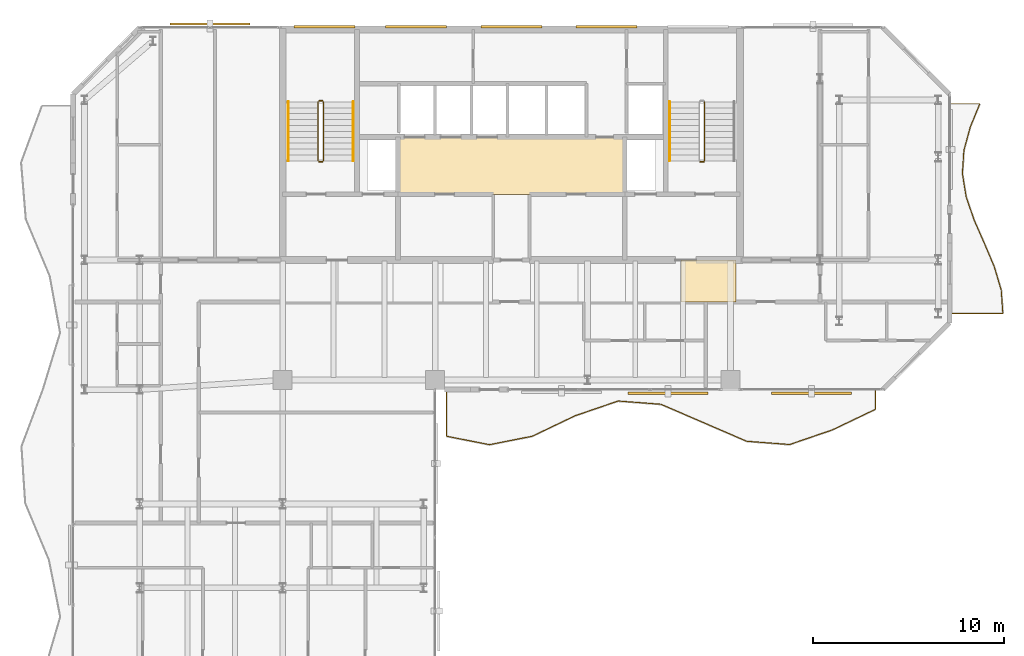
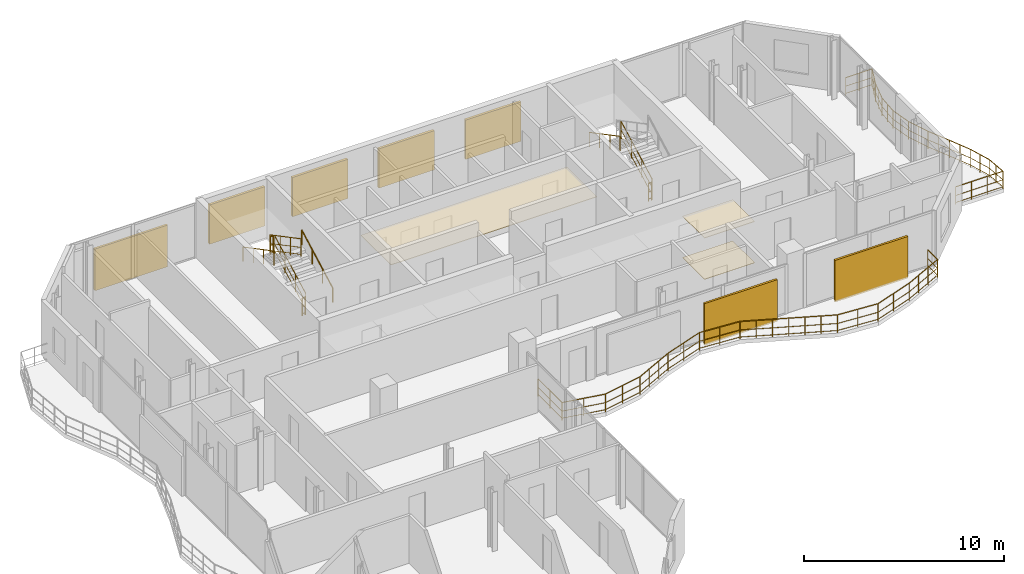
# One storey, part 22 of 23: 11 railings, 7 shading devices, 3 coverings.
"""IFC4 building model written with IfcOpenShell, lengths in metres."""

from ifc_helpers import new_model, si_unit, direction, frame, origin, origin_2d, place, context, subcontext, project, spatial, polyline, rectangle, circle, outline, extrude, material, layer, layer_set, type_object, element, save


model = new_model("IFC4")

# Units and contexts
model_context = context("Model", 3, precision=1e-05, world=origin(), true_north=direction((0.0, 1.0)))
body_context = subcontext(model_context, "Body", "Model", "MODEL_VIEW")
ifc_project = project(units=[si_unit("LENGTHUNIT", "METRE"), si_unit("AREAUNIT", "SQUARE_METRE"), si_unit("VOLUMEUNIT", "CUBIC_METRE"), si_unit("PLANEANGLEUNIT", "RADIAN"), si_unit("MASSUNIT", "GRAM", prefix="KILO")], contexts=[model_context])

# Site, building, storey
site_placement = place(None, origin())
site = spatial("IfcSite", under=ifc_project, at=site_placement, CompositionType="ELEMENT")
building_placement = place(site_placement, origin())
building = spatial("IfcBuilding", under=site, at=building_placement, Name="Catumbela Crestline Tower", CompositionType="ELEMENT")
storey_placement = place(building_placement, frame((0.0, 0.0, 193.8)))
storey = spatial("IfcBuildingStorey", under=building, at=storey_placement, Name="L50", CompositionType="ELEMENT", Elevation=193.8)

# Coverings
ifc_material_1 = material(Name="Mineral-fibre acoustic ceiling")
ifc_layer_1 = layer(ifc_material_1, 0.03, Name="Mineral-fibre acoustic ceiling")
ifc_layer_set_1 = layer_set([ifc_layer_1], Name="Mineral-fibre acoustic ceiling")
covering_type_1 = type_object("IfcCoveringType", Name="CC-AC", PredefinedType="CEILING", material=ifc_layer_set_1)
covering_1_placement = place(storey_placement, frame((0.0, 0.0, 2.65)))
element("IfcCovering", 1, at=covering_1_placement, inside=storey, type_object=covering_type_1, Name="L50 Lift Lobby Acoustic Ceiling", PredefinedType="CEILING", context=body_context, shape_type="SweptSolid", body=[
    extrude(outline(polyline([(22.05, 34.25), (33.95, 34.25), (33.95, 37.25), (22.05, 37.25), (22.05, 34.25)])), origin(), (0.0, 0.0, 1.0), 0.03),
])
covering_2_placement = place(storey_placement, frame((0.0, 0.0, 2.52)))
element("IfcCovering", 2, at=covering_2_placement, inside=storey, type_object=covering_type_1, Name="L50 Corridor Acoustic Ceiling Bay 8", PredefinedType="CEILING", context=body_context, shape_type="SweptSolid", body=[
    extrude(outline(polyline([(36.9, 28.6), (39.8, 28.6), (39.8, 30.8), (36.9, 30.8), (36.9, 28.6)])), origin(), (0.0, 0.0, 1.0), 0.03),
])
ifc_material_2 = material(Name="Angolan grey-ochre granite", Category="masonry")
ifc_layer_2 = layer(ifc_material_2, 0.025, Name="Angolan grey-ochre granite")
ifc_layer_set_2 = layer_set([ifc_layer_2], Name="Angolan grey-ochre granite")
covering_type_2 = type_object("IfcCoveringType", Name="CF-GR", PredefinedType="FLOORING", material=ifc_layer_set_2)
covering_3_placement = place(storey_placement, origin())
element("IfcCovering", 3, at=covering_3_placement, inside=storey, type_object=covering_type_2, Name="L50 Corridor Granite Flooring Bay 8", PredefinedType="FLOORING", context=body_context, shape_type="SweptSolid", body=[
    extrude(outline(polyline([(36.9, 28.6), (39.8, 28.6), (39.8, 30.8), (36.9, 30.8), (36.9, 28.6)])), origin(), (0.0, 0.0, 1.0), 0.025),
])

# Railings
ifc_material_3 = material(Name="Stainless steel EN 1.4401", Category="steel")
railing_type_1 = type_object("IfcRailingType", Name="RB-1100", PredefinedType="BALUSTRADE", material=ifc_material_3)
railing_1_placement = place(storey_placement, frame((24.6, 23.94, 0.0)))
element("IfcRailing", 4, at=railing_1_placement, inside=storey, type_object=railing_type_1, Name="L50 Private Wave Balcony Balustrade 1", PredefinedType="BALUSTRADE", context=body_context, shape_type="SweptSolid", body=[
    extrude(circle(Radius=0.024, at=origin_2d()), frame((0.0, 0.0, 1.076), z_axis=(0.0, -1.0, 0.0), x_axis=(1.0, 0.0, 0.0)), (0.0, 0.0, 1.0), 2.3853),
    extrude(circle(Radius=0.0156, at=origin_2d()), frame((0.0, 0.0, 0.55), z_axis=(0.0, -1.0, 0.0), x_axis=(1.0, 0.0, 0.0)), (0.0, 0.0, 1.0), 2.3853),
    extrude(circle(Radius=0.0156, at=origin_2d()), frame((0.0, 0.0, 0.12), z_axis=(0.0, -1.0, 0.0), x_axis=(1.0, 0.0, 0.0)), (0.0, 0.0, 1.0), 2.3853),
    extrude(circle(Radius=0.024, at=origin_2d()), frame((0.0, -2.3853, 1.076), z_axis=(0.981022553047, -0.193893657484, 0.0), x_axis=(0.193893657484, 0.981022553047, 0.0)), (0.0, 0.0, 1.0), 2.2935),
    extrude(circle(Radius=0.0156, at=origin_2d()), frame((0.0, -2.3853, 0.55), z_axis=(0.981022553047, -0.193893657484, 0.0), x_axis=(0.193893657484, 0.981022553047, 0.0)), (0.0, 0.0, 1.0), 2.2935),
    extrude(circle(Radius=0.0156, at=origin_2d()), frame((0.0, -2.3853, 0.12), z_axis=(0.981022553047, -0.193893657484, 0.0), x_axis=(0.193893657484, 0.981022553047, 0.0)), (0.0, 0.0, 1.0), 2.2935),
    extrude(circle(Radius=0.024, at=origin_2d()), frame((2.25, -2.83, 1.076), z_axis=(0.981022553047, 0.193893657484, 0.0), x_axis=(-0.193893657484, 0.981022553047, 0.0)), (0.0, 0.0, 1.0), 2.2935),
    extrude(circle(Radius=0.0156, at=origin_2d()), frame((2.25, -2.83, 0.55), z_axis=(0.981022553047, 0.193893657484, 0.0), x_axis=(-0.193893657484, 0.981022553047, 0.0)), (0.0, 0.0, 1.0), 2.2935),
    extrude(circle(Radius=0.0156, at=origin_2d()), frame((2.25, -2.83, 0.12), z_axis=(0.981022553047, 0.193893657484, 0.0), x_axis=(-0.193893657484, 0.981022553047, 0.0)), (0.0, 0.0, 1.0), 2.2935),
    extrude(circle(Radius=0.024, at=origin_2d()), frame((4.5, -2.3853, 1.076), z_axis=(0.902132186045, 0.431459753513, 0.0), x_axis=(-0.431459753513, 0.902132186045, 0.0)), (0.0, 0.0, 1.0), 2.4941),
    extrude(circle(Radius=0.0156, at=origin_2d()), frame((4.5, -2.3853, 0.55), z_axis=(0.902132186045, 0.431459753513, 0.0), x_axis=(-0.431459753513, 0.902132186045, 0.0)), (0.0, 0.0, 1.0), 2.4941),
    extrude(circle(Radius=0.0156, at=origin_2d()), frame((4.5, -2.3853, 0.12), z_axis=(0.902132186045, 0.431459753513, 0.0), x_axis=(-0.431459753513, 0.902132186045, 0.0)), (0.0, 0.0, 1.0), 2.4941),
    extrude(circle(Radius=0.024, at=origin_2d()), frame((6.75, -1.3092, 1.076), z_axis=(0.946065665735, 0.323974931311, 0.0), x_axis=(-0.323974931311, 0.946065665735, 0.0)), (0.0, 0.0, 1.0), 2.3783),
    extrude(circle(Radius=0.0156, at=origin_2d()), frame((6.75, -1.3092, 0.55), z_axis=(0.946065665735, 0.323974931311, 0.0), x_axis=(-0.323974931311, 0.946065665735, 0.0)), (0.0, 0.0, 1.0), 2.3783),
    extrude(circle(Radius=0.0156, at=origin_2d()), frame((6.75, -1.3092, 0.12), z_axis=(0.946065665735, 0.323974931311, 0.0), x_axis=(-0.323974931311, 0.946065665735, 0.0)), (0.0, 0.0, 1.0), 2.3783),
    extrude(circle(Radius=0.024, at=origin_2d()), frame((9.0, -0.5387, 1.076), z_axis=(0.997141170455, -0.075561142028, 0.0), x_axis=(0.075561142028, 0.997141170455, 0.0)), (0.0, 0.0, 1.0), 2.2565),
    extrude(circle(Radius=0.0156, at=origin_2d()), frame((9.0, -0.5387, 0.55), z_axis=(0.997141170455, -0.075561142028, 0.0), x_axis=(0.075561142028, 0.997141170455, 0.0)), (0.0, 0.0, 1.0), 2.2565),
    extrude(circle(Radius=0.0156, at=origin_2d()), frame((9.0, -0.5387, 0.12), z_axis=(0.997141170455, -0.075561142028, 0.0), x_axis=(0.075561142028, 0.997141170455, 0.0)), (0.0, 0.0, 1.0), 2.2565),
    extrude(circle(Radius=0.024, at=origin_2d()), frame((11.25, -0.7092, 1.076), z_axis=(0.918179780553, -0.396163969316, 0.0), x_axis=(0.396163969316, 0.918179780553, 0.0)), (0.0, 0.0, 1.0), 2.4505),
    extrude(circle(Radius=0.0156, at=origin_2d()), frame((11.25, -0.7092, 0.55), z_axis=(0.918179780553, -0.396163969316, 0.0), x_axis=(0.396163969316, 0.918179780553, 0.0)), (0.0, 0.0, 1.0), 2.4505),
    extrude(circle(Radius=0.0156, at=origin_2d()), frame((11.25, -0.7092, 0.12), z_axis=(0.918179780553, -0.396163969316, 0.0), x_axis=(0.396163969316, 0.918179780553, 0.0)), (0.0, 0.0, 1.0), 2.4505),
    extrude(circle(Radius=0.024, at=origin_2d()), frame((13.5, -1.68, 1.076), z_axis=(0.918179780553, -0.396163969316, 0.0), x_axis=(0.396163969316, 0.918179780553, 0.0)), (0.0, 0.0, 1.0), 2.4505),
    extrude(circle(Radius=0.0156, at=origin_2d()), frame((13.5, -1.68, 0.55), z_axis=(0.918179780553, -0.396163969316, 0.0), x_axis=(0.396163969316, 0.918179780553, 0.0)), (0.0, 0.0, 1.0), 2.4505),
    extrude(circle(Radius=0.0156, at=origin_2d()), frame((13.5, -1.68, 0.12), z_axis=(0.918179780553, -0.396163969316, 0.0), x_axis=(0.396163969316, 0.918179780553, 0.0)), (0.0, 0.0, 1.0), 2.4505),
    extrude(circle(Radius=0.024, at=origin_2d()), frame((15.75, -2.6508, 1.076), z_axis=(0.997141170455, -0.075561142028, 0.0), x_axis=(0.075561142028, 0.997141170455, 0.0)), (0.0, 0.0, 1.0), 2.2565),
    extrude(circle(Radius=0.0156, at=origin_2d()), frame((15.75, -2.6508, 0.55), z_axis=(0.997141170455, -0.075561142028, 0.0), x_axis=(0.075561142028, 0.997141170455, 0.0)), (0.0, 0.0, 1.0), 2.2565),
    extrude(circle(Radius=0.0156, at=origin_2d()), frame((15.75, -2.6508, 0.12), z_axis=(0.997141170455, -0.075561142028, 0.0), x_axis=(0.075561142028, 0.997141170455, 0.0)), (0.0, 0.0, 1.0), 2.2565),
    extrude(circle(Radius=0.024, at=origin_2d()), frame((18.0, -2.8213, 1.076), z_axis=(0.946065665735, 0.323974931311, 0.0), x_axis=(-0.323974931311, 0.946065665735, 0.0)), (0.0, 0.0, 1.0), 2.3783),
    extrude(circle(Radius=0.0156, at=origin_2d()), frame((18.0, -2.8213, 0.55), z_axis=(0.946065665735, 0.323974931311, 0.0), x_axis=(-0.323974931311, 0.946065665735, 0.0)), (0.0, 0.0, 1.0), 2.3783),
    extrude(circle(Radius=0.0156, at=origin_2d()), frame((18.0, -2.8213, 0.12), z_axis=(0.946065665735, 0.323974931311, 0.0), x_axis=(-0.323974931311, 0.946065665735, 0.0)), (0.0, 0.0, 1.0), 2.3783),
    extrude(circle(Radius=0.024, at=origin_2d()), frame((20.25, -2.0508, 1.076), z_axis=(0.902132186045, 0.431459753513, 0.0), x_axis=(-0.431459753513, 0.902132186045, 0.0)), (0.0, 0.0, 1.0), 2.4941),
    extrude(circle(Radius=0.0156, at=origin_2d()), frame((20.25, -2.0508, 0.55), z_axis=(0.902132186045, 0.431459753513, 0.0), x_axis=(-0.431459753513, 0.902132186045, 0.0)), (0.0, 0.0, 1.0), 2.4941),
    extrude(circle(Radius=0.0156, at=origin_2d()), frame((20.25, -2.0508, 0.12), z_axis=(0.902132186045, 0.431459753513, 0.0), x_axis=(-0.431459753513, 0.902132186045, 0.0)), (0.0, 0.0, 1.0), 2.4941),
    extrude(circle(Radius=0.024, at=origin_2d()), frame((22.5, -0.9747, 1.076), z_axis=(0.0, 1.0, 0.0), x_axis=(-1.0, 0.0, 0.0)), (0.0, 0.0, 1.0), 0.9747),
    extrude(circle(Radius=0.0156, at=origin_2d()), frame((22.5, -0.9747, 0.55), z_axis=(0.0, 1.0, 0.0), x_axis=(-1.0, 0.0, 0.0)), (0.0, 0.0, 1.0), 0.9747),
    extrude(circle(Radius=0.0156, at=origin_2d()), frame((22.5, -0.9747, 0.12), z_axis=(0.0, 1.0, 0.0), x_axis=(-1.0, 0.0, 0.0)), (0.0, 0.0, 1.0), 0.9747),
    extrude(circle(Radius=0.021, at=origin_2d()), origin(), (0.0, 0.0, 1.0), 1.052),
    extrude(circle(Radius=0.021, at=origin_2d()), frame((0.0, -1.1927, 0.0)), (0.0, 0.0, 1.0), 1.052),
    extrude(circle(Radius=0.021, at=origin_2d()), frame((0.0, -2.3853, 0.0)), (0.0, 0.0, 1.0), 1.052),
    extrude(circle(Radius=0.021, at=origin_2d()), frame((1.125, -2.6077, 0.0)), (0.0, 0.0, 1.0), 1.052),
    extrude(circle(Radius=0.021, at=origin_2d()), frame((2.25, -2.83, 0.0)), (0.0, 0.0, 1.0), 1.052),
    extrude(circle(Radius=0.021, at=origin_2d()), frame((3.375, -2.6077, 0.0)), (0.0, 0.0, 1.0), 1.052),
    extrude(circle(Radius=0.021, at=origin_2d()), frame((4.5, -2.3853, 0.0)), (0.0, 0.0, 1.0), 1.052),
    extrude(circle(Radius=0.021, at=origin_2d()), frame((5.25, -2.0266, 0.0)), (0.0, 0.0, 1.0), 1.052),
    extrude(circle(Radius=0.021, at=origin_2d()), frame((6.0, -1.6679, 0.0)), (0.0, 0.0, 1.0), 1.052),
    extrude(circle(Radius=0.021, at=origin_2d()), frame((6.75, -1.3092, 0.0)), (0.0, 0.0, 1.0), 1.052),
    extrude(circle(Radius=0.021, at=origin_2d()), frame((7.875, -0.924, 0.0)), (0.0, 0.0, 1.0), 1.052),
    extrude(circle(Radius=0.021, at=origin_2d()), frame((9.0, -0.5387, 0.0)), (0.0, 0.0, 1.0), 1.052),
    extrude(circle(Radius=0.021, at=origin_2d()), frame((10.125, -0.624, 0.0)), (0.0, 0.0, 1.0), 1.052),
    extrude(circle(Radius=0.021, at=origin_2d()), frame((11.25, -0.7092, 0.0)), (0.0, 0.0, 1.0), 1.052),
    extrude(circle(Radius=0.021, at=origin_2d()), frame((12.0, -1.0328, 0.0)), (0.0, 0.0, 1.0), 1.052),
    extrude(circle(Radius=0.021, at=origin_2d()), frame((12.75, -1.3564, 0.0)), (0.0, 0.0, 1.0), 1.052),
    extrude(circle(Radius=0.021, at=origin_2d()), frame((13.5, -1.68, 0.0)), (0.0, 0.0, 1.0), 1.052),
    extrude(circle(Radius=0.021, at=origin_2d()), frame((14.25, -2.0036, 0.0)), (0.0, 0.0, 1.0), 1.052),
    extrude(circle(Radius=0.021, at=origin_2d()), frame((15.0, -2.3272, 0.0)), (0.0, 0.0, 1.0), 1.052),
    extrude(circle(Radius=0.021, at=origin_2d()), frame((15.75, -2.6508, 0.0)), (0.0, 0.0, 1.0), 1.052),
    extrude(circle(Radius=0.021, at=origin_2d()), frame((16.875, -2.7361, 0.0)), (0.0, 0.0, 1.0), 1.052),
    extrude(circle(Radius=0.021, at=origin_2d()), frame((18.0, -2.8213, 0.0)), (0.0, 0.0, 1.0), 1.052),
    extrude(circle(Radius=0.021, at=origin_2d()), frame((19.125, -2.4361, 0.0)), (0.0, 0.0, 1.0), 1.052),
    extrude(circle(Radius=0.021, at=origin_2d()), frame((20.25, -2.0508, 0.0)), (0.0, 0.0, 1.0), 1.052),
    extrude(circle(Radius=0.021, at=origin_2d()), frame((21.0, -1.6921, 0.0)), (0.0, 0.0, 1.0), 1.052),
    extrude(circle(Radius=0.021, at=origin_2d()), frame((21.75, -1.3334, 0.0)), (0.0, 0.0, 1.0), 1.052),
    extrude(circle(Radius=0.021, at=origin_2d()), frame((22.5, -0.9747, 0.0)), (0.0, 0.0, 1.0), 1.052),
    extrude(circle(Radius=0.021, at=origin_2d()), frame((22.5, 0.0, 0.0)), (0.0, 0.0, 1.0), 1.052),
])
railing_2_placement = place(storey_placement, frame((51.06, 28.0, 0.0)))
element("IfcRailing", 5, at=railing_2_placement, inside=storey, type_object=railing_type_1, Name="L50 Private Wave Balcony Balustrade 2", PredefinedType="BALUSTRADE", context=body_context, shape_type="SweptSolid", body=[
    extrude(circle(Radius=0.024, at=origin_2d()), frame((0.0, 0.0, 1.076), z_axis=(1.0, 0.0, 0.0), x_axis=(0.0, 1.0, 0.0)), (0.0, 0.0, 1.0), 2.73),
    extrude(circle(Radius=0.0156, at=origin_2d()), frame((0.0, 0.0, 0.55), z_axis=(1.0, 0.0, 0.0), x_axis=(0.0, 1.0, 0.0)), (0.0, 0.0, 1.0), 2.73),
    extrude(circle(Radius=0.0156, at=origin_2d()), frame((0.0, 0.0, 0.12), z_axis=(1.0, 0.0, 0.0), x_axis=(0.0, 1.0, 0.0)), (0.0, 0.0, 1.0), 2.73),
    extrude(circle(Radius=0.024, at=origin_2d()), frame((2.73, 0.0, 1.076), z_axis=(-0.0709222488, 0.997481846765, 0.0), x_axis=(-0.997481846765, -0.0709222488, 0.0)), (0.0, 0.0, 1.0), 1.2253),
    extrude(circle(Radius=0.0156, at=origin_2d()), frame((2.73, 0.0, 0.55), z_axis=(-0.0709222488, 0.997481846765, 0.0), x_axis=(-0.997481846765, -0.0709222488, 0.0)), (0.0, 0.0, 1.0), 1.2253),
    extrude(circle(Radius=0.0156, at=origin_2d()), frame((2.73, 0.0, 0.12), z_axis=(-0.0709222488, 0.997481846765, 0.0), x_axis=(-0.997481846765, -0.0709222488, 0.0)), (0.0, 0.0, 1.0), 1.2253),
    extrude(circle(Radius=0.024, at=origin_2d()), frame((2.6431, 1.2222, 1.076), z_axis=(-0.284569004253, 0.95865555953, 0.0), x_axis=(-0.95865555953, -0.284569004253, 0.0)), (0.0, 0.0, 1.0), 1.2749),
    extrude(circle(Radius=0.0156, at=origin_2d()), frame((2.6431, 1.2222, 0.55), z_axis=(-0.284569004253, 0.95865555953, 0.0), x_axis=(-0.95865555953, -0.284569004253, 0.0)), (0.0, 0.0, 1.0), 1.2749),
    extrude(circle(Radius=0.0156, at=origin_2d()), frame((2.6431, 1.2222, 0.12), z_axis=(-0.284569004253, 0.95865555953, 0.0), x_axis=(-0.95865555953, -0.284569004253, 0.0)), (0.0, 0.0, 1.0), 1.2749),
    extrude(circle(Radius=0.024, at=origin_2d()), frame((2.2803, 2.4444, 1.076), z_axis=(-0.389431030988, 0.921055629212, 0.0), x_axis=(-0.921055629212, -0.389431030988, 0.0)), (0.0, 0.0, 1.0), 1.3271),
    extrude(circle(Radius=0.0156, at=origin_2d()), frame((2.2803, 2.4444, 0.55), z_axis=(-0.389431030988, 0.921055629212, 0.0), x_axis=(-0.921055629212, -0.389431030988, 0.0)), (0.0, 0.0, 1.0), 1.3271),
    extrude(circle(Radius=0.0156, at=origin_2d()), frame((2.2803, 2.4444, 0.12), z_axis=(-0.389431030988, 0.921055629212, 0.0), x_axis=(-0.921055629212, -0.389431030988, 0.0)), (0.0, 0.0, 1.0), 1.3271),
    extrude(circle(Radius=0.024, at=origin_2d()), frame((1.7635, 3.6667, 1.076), z_axis=(-0.403009613684, 0.915195744788, 0.0), x_axis=(-0.915195744788, -0.403009613684, 0.0)), (0.0, 0.0, 1.0), 1.3355),
    extrude(circle(Radius=0.0156, at=origin_2d()), frame((1.7635, 3.6667, 0.55), z_axis=(-0.403009613684, 0.915195744788, 0.0), x_axis=(-0.915195744788, -0.403009613684, 0.0)), (0.0, 0.0, 1.0), 1.3355),
    extrude(circle(Radius=0.0156, at=origin_2d()), frame((1.7635, 3.6667, 0.12), z_axis=(-0.403009613684, 0.915195744788, 0.0), x_axis=(-0.915195744788, -0.403009613684, 0.0)), (0.0, 0.0, 1.0), 1.3355),
    extrude(circle(Radius=0.024, at=origin_2d()), frame((1.2253, 4.8889, 1.076), z_axis=(-0.326095564371, 0.945336809237, 0.0), x_axis=(-0.945336809237, -0.326095564371, 0.0)), (0.0, 0.0, 1.0), 1.2929),
    extrude(circle(Radius=0.0156, at=origin_2d()), frame((1.2253, 4.8889, 0.55), z_axis=(-0.326095564371, 0.945336809237, 0.0), x_axis=(-0.945336809237, -0.326095564371, 0.0)), (0.0, 0.0, 1.0), 1.2929),
    extrude(circle(Radius=0.0156, at=origin_2d()), frame((1.2253, 4.8889, 0.12), z_axis=(-0.326095564371, 0.945336809237, 0.0), x_axis=(-0.945336809237, -0.326095564371, 0.0)), (0.0, 0.0, 1.0), 1.2929),
    extrude(circle(Radius=0.024, at=origin_2d()), frame((0.8037, 6.1111, 1.076), z_axis=(-0.159052119086, 0.987270187646, 0.0), x_axis=(-0.987270187646, -0.159052119086, 0.0)), (0.0, 0.0, 1.0), 1.238),
    extrude(circle(Radius=0.0156, at=origin_2d()), frame((0.8037, 6.1111, 0.55), z_axis=(-0.159052119086, 0.987270187646, 0.0), x_axis=(-0.987270187646, -0.159052119086, 0.0)), (0.0, 0.0, 1.0), 1.238),
    extrude(circle(Radius=0.0156, at=origin_2d()), frame((0.8037, 6.1111, 0.12), z_axis=(-0.159052119086, 0.987270187646, 0.0), x_axis=(-0.987270187646, -0.159052119086, 0.0)), (0.0, 0.0, 1.0), 1.238),
    extrude(circle(Radius=0.024, at=origin_2d()), frame((0.6068, 7.3333, 1.076), z_axis=(0.063928524722, 0.997954479787, 0.0), x_axis=(-0.997954479787, 0.063928524722, 0.0)), (0.0, 0.0, 1.0), 1.2248),
    extrude(circle(Radius=0.0156, at=origin_2d()), frame((0.6068, 7.3333, 0.55), z_axis=(0.063928524722, 0.997954479787, 0.0), x_axis=(-0.997954479787, 0.063928524722, 0.0)), (0.0, 0.0, 1.0), 1.2248),
    extrude(circle(Radius=0.0156, at=origin_2d()), frame((0.6068, 7.3333, 0.12), z_axis=(0.063928524722, 0.997954479787, 0.0), x_axis=(-0.997954479787, 0.063928524722, 0.0)), (0.0, 0.0, 1.0), 1.2248),
    extrude(circle(Radius=0.024, at=origin_2d()), frame((0.6851, 8.5556, 1.076), z_axis=(0.263244304818, 0.964729203446, 0.0), x_axis=(-0.964729203446, 0.263244304818, 0.0)), (0.0, 0.0, 1.0), 1.2669),
    extrude(circle(Radius=0.0156, at=origin_2d()), frame((0.6851, 8.5556, 0.55), z_axis=(0.263244304818, 0.964729203446, 0.0), x_axis=(-0.964729203446, 0.263244304818, 0.0)), (0.0, 0.0, 1.0), 1.2669),
    extrude(circle(Radius=0.0156, at=origin_2d()), frame((0.6851, 8.5556, 0.12), z_axis=(0.263244304818, 0.964729203446, 0.0), x_axis=(-0.964729203446, 0.263244304818, 0.0)), (0.0, 0.0, 1.0), 1.2669),
    extrude(circle(Radius=0.024, at=origin_2d()), frame((1.0186, 9.7778, 1.076), z_axis=(0.380582356564, 0.924747030204, 0.0), x_axis=(-0.924747030204, 0.380582356564, 0.0)), (0.0, 0.0, 1.0), 1.3217),
    extrude(circle(Radius=0.0156, at=origin_2d()), frame((1.0186, 9.7778, 0.55), z_axis=(0.380582356564, 0.924747030204, 0.0), x_axis=(-0.924747030204, 0.380582356564, 0.0)), (0.0, 0.0, 1.0), 1.3217),
    extrude(circle(Radius=0.0156, at=origin_2d()), frame((1.0186, 9.7778, 0.12), z_axis=(0.380582356564, 0.924747030204, 0.0), x_axis=(-0.924747030204, 0.380582356564, 0.0)), (0.0, 0.0, 1.0), 1.3217),
    extrude(circle(Radius=0.024, at=origin_2d()), frame((1.5216, 11.0, 1.076), z_axis=(-1.0, 0.0, 0.0), x_axis=(0.0, -1.0, 0.0)), (0.0, 0.0, 1.0), 1.5216),
    extrude(circle(Radius=0.0156, at=origin_2d()), frame((1.5216, 11.0, 0.55), z_axis=(-1.0, 0.0, 0.0), x_axis=(0.0, -1.0, 0.0)), (0.0, 0.0, 1.0), 1.5216),
    extrude(circle(Radius=0.0156, at=origin_2d()), frame((1.5216, 11.0, 0.12), z_axis=(-1.0, 0.0, 0.0), x_axis=(0.0, -1.0, 0.0)), (0.0, 0.0, 1.0), 1.5216),
    extrude(circle(Radius=0.021, at=origin_2d()), origin(), (0.0, 0.0, 1.0), 1.052),
    extrude(circle(Radius=0.021, at=origin_2d()), frame((0.91, 0.0, 0.0)), (0.0, 0.0, 1.0), 1.052),
    extrude(circle(Radius=0.021, at=origin_2d()), frame((1.82, 0.0, 0.0)), (0.0, 0.0, 1.0), 1.052),
    extrude(circle(Radius=0.021, at=origin_2d()), frame((2.73, 0.0, 0.0)), (0.0, 0.0, 1.0), 1.052),
    extrude(circle(Radius=0.021, at=origin_2d()), frame((2.6865, 0.6111, 0.0)), (0.0, 0.0, 1.0), 1.052),
    extrude(circle(Radius=0.021, at=origin_2d()), frame((2.6431, 1.2222, 0.0)), (0.0, 0.0, 1.0), 1.052),
    extrude(circle(Radius=0.021, at=origin_2d()), frame((2.4617, 1.8333, 0.0)), (0.0, 0.0, 1.0), 1.052),
    extrude(circle(Radius=0.021, at=origin_2d()), frame((2.2803, 2.4444, 0.0)), (0.0, 0.0, 1.0), 1.052),
    extrude(circle(Radius=0.021, at=origin_2d()), frame((2.0219, 3.0556, 0.0)), (0.0, 0.0, 1.0), 1.052),
    extrude(circle(Radius=0.021, at=origin_2d()), frame((1.7635, 3.6667, 0.0)), (0.0, 0.0, 1.0), 1.052),
    extrude(circle(Radius=0.021, at=origin_2d()), frame((1.4944, 4.2778, 0.0)), (0.0, 0.0, 1.0), 1.052),
    extrude(circle(Radius=0.021, at=origin_2d()), frame((1.2253, 4.8889, 0.0)), (0.0, 0.0, 1.0), 1.052),
    extrude(circle(Radius=0.021, at=origin_2d()), frame((1.0145, 5.5, 0.0)), (0.0, 0.0, 1.0), 1.052),
    extrude(circle(Radius=0.021, at=origin_2d()), frame((0.8037, 6.1111, 0.0)), (0.0, 0.0, 1.0), 1.052),
    extrude(circle(Radius=0.021, at=origin_2d()), frame((0.7052, 6.7222, 0.0)), (0.0, 0.0, 1.0), 1.052),
    extrude(circle(Radius=0.021, at=origin_2d()), frame((0.6068, 7.3333, 0.0)), (0.0, 0.0, 1.0), 1.052),
    extrude(circle(Radius=0.021, at=origin_2d()), frame((0.6459, 7.9444, 0.0)), (0.0, 0.0, 1.0), 1.052),
    extrude(circle(Radius=0.021, at=origin_2d()), frame((0.6851, 8.5556, 0.0)), (0.0, 0.0, 1.0), 1.052),
    extrude(circle(Radius=0.021, at=origin_2d()), frame((0.8518, 9.1667, 0.0)), (0.0, 0.0, 1.0), 1.052),
    extrude(circle(Radius=0.021, at=origin_2d()), frame((1.0186, 9.7778, 0.0)), (0.0, 0.0, 1.0), 1.052),
    extrude(circle(Radius=0.021, at=origin_2d()), frame((1.2701, 10.3889, 0.0)), (0.0, 0.0, 1.0), 1.052),
    extrude(circle(Radius=0.021, at=origin_2d()), frame((1.5216, 11.0, 0.0)), (0.0, 0.0, 1.0), 1.052),
    extrude(circle(Radius=0.021, at=origin_2d()), frame((0.7608, 11.0, 0.0)), (0.0, 0.0, 1.0), 1.052),
    extrude(circle(Radius=0.021, at=origin_2d()), frame((0.0, 11.0, 0.0)), (0.0, 0.0, 1.0), 1.052),
])
railing_type_2 = type_object("IfcRailingType", Name="RG-1100", PredefinedType="GUARDRAIL", material=ifc_material_3)
railing_3_placement = place(storey_placement, frame((18.14, 36.0, 0.1636)))
element("IfcRailing", 6, at=railing_3_placement, inside=storey, type_object=railing_type_2, Name="L50 ST-01 stair guard 1", PredefinedType="GUARDRAIL", context=body_context, shape_type="SweptSolid", body=[
    extrude(circle(Radius=0.024, at=origin_2d()), frame((0.0, 0.0, 1.076), z_axis=(0.0, 0.884350731049, 0.466823076222), x_axis=(-1.0, 0.0, 0.0)), (0.0, 0.0, 1.0), 3.5054),
    extrude(circle(Radius=0.0156, at=origin_2d()), frame((0.0, 0.0, 0.55), z_axis=(0.0, 0.884350731049, 0.466823076222), x_axis=(-1.0, 0.0, 0.0)), (0.0, 0.0, 1.0), 3.5054),
    extrude(circle(Radius=0.0156, at=origin_2d()), frame((0.0, 0.0, 0.12), z_axis=(0.0, 0.884350731049, 0.466823076222), x_axis=(-1.0, 0.0, 0.0)), (0.0, 0.0, 1.0), 3.5054),
    extrude(circle(Radius=0.021, at=origin_2d()), origin(), (0.0, 0.0, 1.0), 1.052),
    extrude(circle(Radius=0.021, at=origin_2d()), frame((0.0, 1.0333, 0.5455)), (0.0, 0.0, 1.0), 1.052),
    extrude(circle(Radius=0.021, at=origin_2d()), frame((0.0, 2.0667, 1.0909)), (0.0, 0.0, 1.0), 1.052),
    extrude(circle(Radius=0.021, at=origin_2d()), frame((0.0, 3.1, 1.6364)), (0.0, 0.0, 1.0), 1.052),
])
railing_4_placement = place(storey_placement, frame((18.09, 39.15, 1.8)))
element("IfcRailing", 7, at=railing_4_placement, inside=storey, type_object=railing_type_2, Name="L50 ST-01 stair guard 2", PredefinedType="GUARDRAIL", context=body_context, shape_type="SweptSolid", body=[
    extrude(circle(Radius=0.024, at=origin_2d()), frame((0.0, 0.0, 1.076), z_axis=(-1.0, 0.0, 0.0), x_axis=(0.0, -1.0, 0.0)), (0.0, 0.0, 1.0), 0.18),
    extrude(circle(Radius=0.0156, at=origin_2d()), frame((0.0, 0.0, 0.55), z_axis=(-1.0, 0.0, 0.0), x_axis=(0.0, -1.0, 0.0)), (0.0, 0.0, 1.0), 0.18),
    extrude(circle(Radius=0.0156, at=origin_2d()), frame((0.0, 0.0, 0.12), z_axis=(-1.0, 0.0, 0.0), x_axis=(0.0, -1.0, 0.0)), (0.0, 0.0, 1.0), 0.18),
    extrude(circle(Radius=0.021, at=origin_2d()), origin(), (0.0, 0.0, 1.0), 1.052),
    extrude(circle(Radius=0.021, at=origin_2d()), frame((-0.18, 0.0, 0.0)), (0.0, 0.0, 1.0), 1.052),
])
railing_5_placement = place(storey_placement, frame((17.86, 39.1, 1.9636)))
element("IfcRailing", 8, at=railing_5_placement, inside=storey, type_object=railing_type_2, Name="L50 ST-01 stair guard 3", PredefinedType="GUARDRAIL", context=body_context, shape_type="SweptSolid", body=[
    extrude(circle(Radius=0.024, at=origin_2d()), frame((0.0, 0.0, 1.076), z_axis=(0.0, -0.884350731049, 0.466823076222), x_axis=(1.0, 0.0, 0.0)), (0.0, 0.0, 1.0), 3.5054),
    extrude(circle(Radius=0.0156, at=origin_2d()), frame((0.0, 0.0, 0.55), z_axis=(0.0, -0.884350731049, 0.466823076222), x_axis=(1.0, 0.0, 0.0)), (0.0, 0.0, 1.0), 3.5054),
    extrude(circle(Radius=0.0156, at=origin_2d()), frame((0.0, 0.0, 0.12), z_axis=(0.0, -0.884350731049, 0.466823076222), x_axis=(1.0, 0.0, 0.0)), (0.0, 0.0, 1.0), 3.5054),
    extrude(circle(Radius=0.021, at=origin_2d()), origin(), (0.0, 0.0, 1.0), 1.052),
    extrude(circle(Radius=0.021, at=origin_2d()), frame((0.0, -1.0333, 0.5455)), (0.0, 0.0, 1.0), 1.052),
    extrude(circle(Radius=0.021, at=origin_2d()), frame((0.0, -2.0667, 1.0909)), (0.0, 0.0, 1.0), 1.052),
    extrude(circle(Radius=0.021, at=origin_2d()), frame((0.0, -3.1, 1.6364)), (0.0, 0.0, 1.0), 1.052),
])
railing_6_placement = place(storey_placement, frame((18.09, 35.95, 0.0)))
element("IfcRailing", 9, at=railing_6_placement, inside=storey, type_object=railing_type_2, Name="L50 ST-01 stair guard 4", PredefinedType="GUARDRAIL", context=body_context, shape_type="SweptSolid", body=[
    extrude(circle(Radius=0.024, at=origin_2d()), frame((0.0, 0.0, 1.076), z_axis=(-1.0, 0.0, 0.0), x_axis=(0.0, -1.0, 0.0)), (0.0, 0.0, 1.0), 0.18),
    extrude(circle(Radius=0.0156, at=origin_2d()), frame((0.0, 0.0, 0.55), z_axis=(-1.0, 0.0, 0.0), x_axis=(0.0, -1.0, 0.0)), (0.0, 0.0, 1.0), 0.18),
    extrude(circle(Radius=0.0156, at=origin_2d()), frame((0.0, 0.0, 0.12), z_axis=(-1.0, 0.0, 0.0), x_axis=(0.0, -1.0, 0.0)), (0.0, 0.0, 1.0), 0.18),
    extrude(circle(Radius=0.021, at=origin_2d()), origin(), (0.0, 0.0, 1.0), 1.052),
    extrude(circle(Radius=0.021, at=origin_2d()), frame((-0.18, 0.0, 0.0)), (0.0, 0.0, 1.0), 1.052),
])
railing_7_placement = place(storey_placement, frame((38.14, 36.0, 0.1636)))
element("IfcRailing", 10, at=railing_7_placement, inside=storey, type_object=railing_type_2, Name="L50 ST-02 stair guard 1", PredefinedType="GUARDRAIL", context=body_context, shape_type="SweptSolid", body=[
    extrude(circle(Radius=0.024, at=origin_2d()), frame((0.0, 0.0, 1.076), z_axis=(0.0, 0.884350731049, 0.466823076222), x_axis=(-1.0, 0.0, 0.0)), (0.0, 0.0, 1.0), 3.5054),
    extrude(circle(Radius=0.0156, at=origin_2d()), frame((0.0, 0.0, 0.55), z_axis=(0.0, 0.884350731049, 0.466823076222), x_axis=(-1.0, 0.0, 0.0)), (0.0, 0.0, 1.0), 3.5054),
    extrude(circle(Radius=0.0156, at=origin_2d()), frame((0.0, 0.0, 0.12), z_axis=(0.0, 0.884350731049, 0.466823076222), x_axis=(-1.0, 0.0, 0.0)), (0.0, 0.0, 1.0), 3.5054),
    extrude(circle(Radius=0.021, at=origin_2d()), origin(), (0.0, 0.0, 1.0), 1.052),
    extrude(circle(Radius=0.021, at=origin_2d()), frame((0.0, 1.0333, 0.5455)), (0.0, 0.0, 1.0), 1.052),
    extrude(circle(Radius=0.021, at=origin_2d()), frame((0.0, 2.0667, 1.0909)), (0.0, 0.0, 1.0), 1.052),
    extrude(circle(Radius=0.021, at=origin_2d()), frame((0.0, 3.1, 1.6364)), (0.0, 0.0, 1.0), 1.052),
])
railing_8_placement = place(storey_placement, frame((38.09, 35.95, 0.0)))
element("IfcRailing", 11, at=railing_8_placement, inside=storey, type_object=railing_type_2, Name="L50 ST-02 stair guard 4", PredefinedType="GUARDRAIL", context=body_context, shape_type="SweptSolid", body=[
    extrude(circle(Radius=0.024, at=origin_2d()), frame((0.0, 0.0, 1.076), z_axis=(-1.0, 0.0, 0.0), x_axis=(0.0, -1.0, 0.0)), (0.0, 0.0, 1.0), 0.18),
    extrude(circle(Radius=0.0156, at=origin_2d()), frame((0.0, 0.0, 0.55), z_axis=(-1.0, 0.0, 0.0), x_axis=(0.0, -1.0, 0.0)), (0.0, 0.0, 1.0), 0.18),
    extrude(circle(Radius=0.0156, at=origin_2d()), frame((0.0, 0.0, 0.12), z_axis=(-1.0, 0.0, 0.0), x_axis=(0.0, -1.0, 0.0)), (0.0, 0.0, 1.0), 0.18),
    extrude(circle(Radius=0.021, at=origin_2d()), origin(), (0.0, 0.0, 1.0), 1.052),
    extrude(circle(Radius=0.021, at=origin_2d()), frame((-0.18, 0.0, 0.0)), (0.0, 0.0, 1.0), 1.052),
])
railing_type_3 = type_object("IfcRailingType", Name="RH-0900", PredefinedType="HANDRAIL", material=ifc_material_3)
railing_9_placement = place(storey_placement, frame((19.7, 36.0, 0.1636)))
element("IfcRailing", 12, at=railing_9_placement, inside=storey, type_object=railing_type_3, Name="L50 ST-01 stair handrail 1", PredefinedType="HANDRAIL", context=body_context, shape_type="SweptSolid", body=[
    extrude(circle(Radius=0.024, at=origin_2d()), frame((0.0, 0.0, 0.876), z_axis=(0.0, 0.884350731049, 0.466823076222), x_axis=(-1.0, 0.0, 0.0)), (0.0, 0.0, 1.0), 3.5054),
    extrude(circle(Radius=0.021, at=origin_2d()), origin(), (0.0, 0.0, 1.0), 0.852),
    extrude(circle(Radius=0.021, at=origin_2d()), frame((0.0, 1.0333, 0.5455)), (0.0, 0.0, 1.0), 0.852),
    extrude(circle(Radius=0.021, at=origin_2d()), frame((0.0, 2.0667, 1.0909)), (0.0, 0.0, 1.0), 0.852),
    extrude(circle(Radius=0.021, at=origin_2d()), frame((0.0, 3.1, 1.6364)), (0.0, 0.0, 1.0), 0.852),
])
for number, where, name in (
    (13, (16.3, 39.1, 1.9636), "L50 ST-01 stair handrail 2"),
    (14, (36.3, 39.1, 1.9636), "L50 ST-02 stair handrail 2"),
):
    element("IfcRailing", number, at=place(storey_placement, frame(where)), inside=storey, type_object=railing_type_3, Name=name, PredefinedType="HANDRAIL", context=body_context, shape_type="SweptSolid", body=[
        extrude(circle(Radius=0.024, at=origin_2d()), frame((0.0, 0.0, 0.876), z_axis=(0.0, -0.884350731049, 0.466823076222), x_axis=(1.0, 0.0, 0.0)), (0.0, 0.0, 1.0), 3.5054),
        extrude(circle(Radius=0.021, at=origin_2d()), origin(), (0.0, 0.0, 1.0), 0.852),
        extrude(circle(Radius=0.021, at=origin_2d()), frame((0.0, -1.0333, 0.5455)), (0.0, 0.0, 1.0), 0.852),
        extrude(circle(Radius=0.021, at=origin_2d()), frame((0.0, -2.0667, 1.0909)), (0.0, 0.0, 1.0), 0.852),
        extrude(circle(Radius=0.021, at=origin_2d()), frame((0.0, -3.1, 1.6364)), (0.0, 0.0, 1.0), 0.852),
    ])

# Shading devices
ifc_material_4 = material(Name="Extruded terracotta ceramic", Category="masonry")
shading_device_type_1 = type_object("IfcShadingDeviceType", Name="ST-180", PredefinedType="USERDEFINED", material=ifc_material_4)
shading_device_1_placement = place(storey_placement, frame((23.0, 43.04, 0.55), z_axis=(0.0, 0.0, 1.0), x_axis=(1.0, 0.0, 0.0)))
element("IfcShadingDevice", 15, at=shading_device_1_placement, inside=storey, type_object=shading_device_type_1, Name="L50 Rear Core Terracotta Brise-Soleil Screen 588", ObjectType="SCREEN", PredefinedType="USERDEFINED", context=body_context, shape_type="SweptSolid", body=[
    extrude(rectangle(XDim=3.2, YDim=0.14, at=origin_2d()), origin(), (0.0, 0.0, 1.0), 2.4),
])
shading_device_type_2 = type_object("IfcShadingDeviceType", Name="ST-260", PredefinedType="USERDEFINED", material=ifc_material_4)
for number, where, z_axis, x_axis, name in (
    (16, (18.2, 43.04, 0.55), (0.0, 0.0, 1.0), (1.0, 0.0, 0.0), "L50 Rear Core Terracotta Brise-Soleil Screen 587"),
    (17, (33.0, 43.04, 0.55), (0.0, 0.0, 1.0), (1.0, 0.0, 0.0), "L50 Rear Core Terracotta Brise-Soleil Screen 590"),
):
    element("IfcShadingDevice", number, at=place(storey_placement, frame(where, z_axis=z_axis, x_axis=x_axis)), inside=storey, type_object=shading_device_type_2, Name=name, ObjectType="SCREEN", PredefinedType="USERDEFINED", context=body_context, shape_type="SweptSolid", body=[
        extrude(rectangle(XDim=3.2, YDim=0.14, at=origin_2d()), origin(), (0.0, 0.0, 1.0), 2.4),
    ])
shading_device_type_3 = type_object("IfcShadingDeviceType", Name="ST-340", PredefinedType="USERDEFINED", material=ifc_material_4)
shading_device_2_placement = place(storey_placement, frame((28.0, 43.04, 0.55), z_axis=(0.0, 0.0, 1.0), x_axis=(1.0, 0.0, 0.0)))
element("IfcShadingDevice", 18, at=shading_device_2_placement, inside=storey, type_object=shading_device_type_3, Name="L50 Rear Core Terracotta Brise-Soleil Screen 589", ObjectType="SCREEN", PredefinedType="USERDEFINED", context=body_context, shape_type="SweptSolid", body=[
    extrude(rectangle(XDim=3.2, YDim=0.14, at=origin_2d()), origin(), (0.0, 0.0, 1.0), 2.4),
])
for number, where, z_axis, x_axis, name in (
    (19, (36.2125, 23.813, -0.1), (0.0, 0.0, 1.0), (1.0, 0.0, 0.0), "L50 Perforated Terracotta Solar Screen 596 (340 mm)"),
    (20, (43.75, 23.813, -0.1), (0.0, 0.0, 1.0), (1.0, 0.0, 0.0), "L50 Perforated Terracotta Solar Screen 597 (340 mm)"),
    (21, (12.18, 43.187, -0.1), (0.0, 0.0, 1.0), (-1.0, 0.0, 0.0), "L50 Perforated Terracotta Solar Screen 600 (340 mm)"),
):
    element("IfcShadingDevice", number, at=place(storey_placement, frame(where, z_axis=z_axis, x_axis=x_axis)), inside=storey, type_object=shading_device_type_3, Name=name, ObjectType="SCREEN", PredefinedType="USERDEFINED", context=body_context, shape_type="SweptSolid", body=[
        extrude(rectangle(XDim=4.2, YDim=0.12, at=origin_2d()), origin(), (0.0, 0.0, 1.0), 2.55),
    ])

save(model, "model.ifc")
